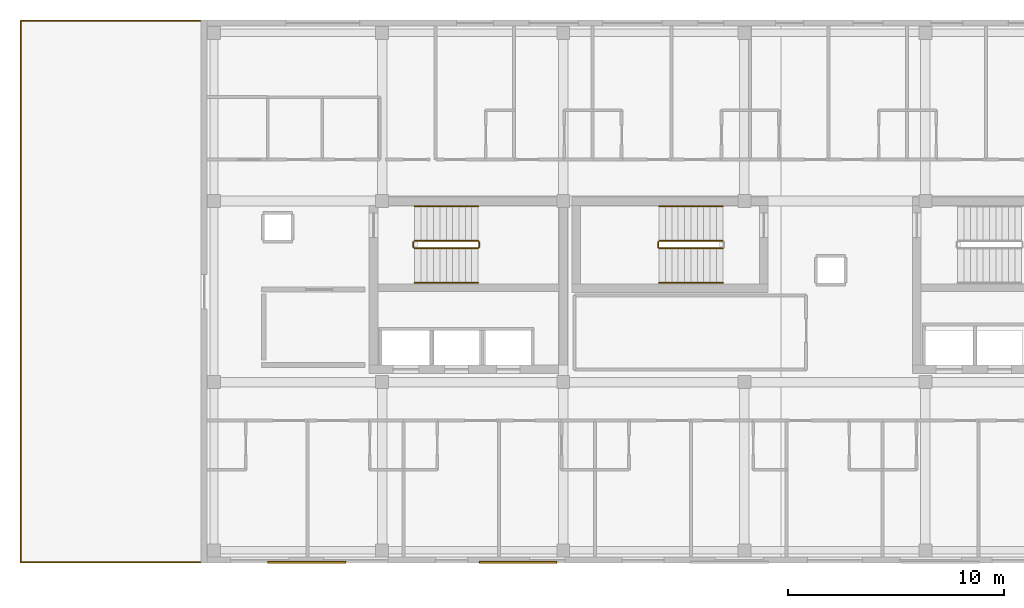
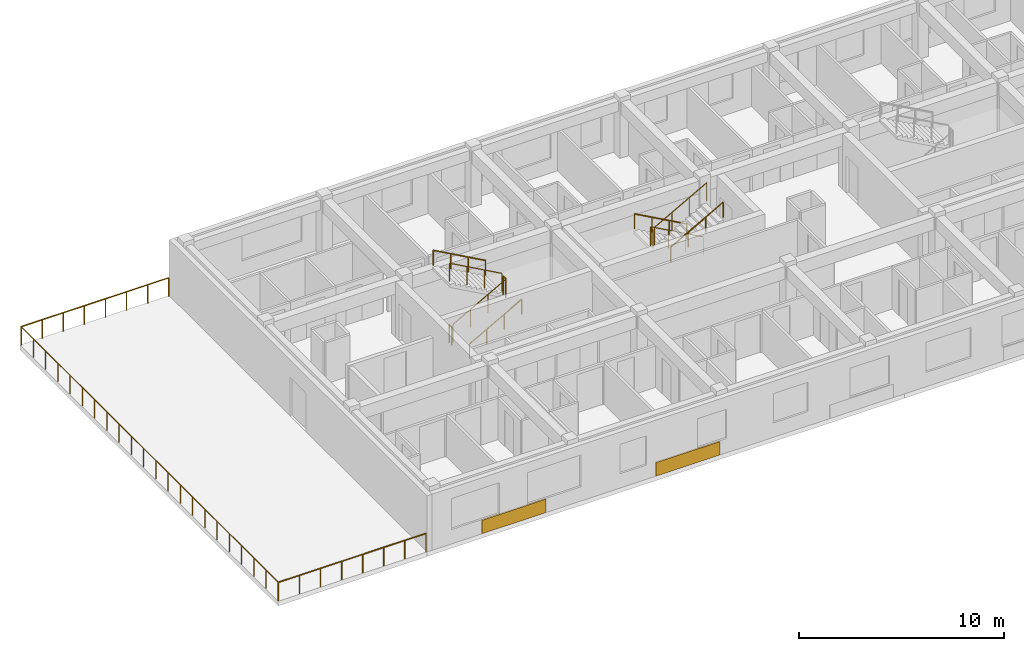
# One storey, part 9 of 10: 14 railings, 2 coverings.
"""IFC4 building model written with IfcOpenShell, lengths in metres."""

from ifc_helpers import new_model, si_unit, direction, frame, origin, origin_2d, place, context, subcontext, project, spatial, rectangle, circle, extrude, material, layer, layer_set, type_object, element, save


model = new_model("IFC4")

# Units and contexts
model_context = context("Model", 3, precision=1e-05, world=origin(), true_north=direction((0.0, 1.0)))
body_context = subcontext(model_context, "Body", "Model", "MODEL_VIEW")
ifc_project = project(units=[si_unit("LENGTHUNIT", "METRE"), si_unit("AREAUNIT", "SQUARE_METRE"), si_unit("VOLUMEUNIT", "CUBIC_METRE"), si_unit("PLANEANGLEUNIT", "RADIAN"), si_unit("MASSUNIT", "GRAM", prefix="KILO")], contexts=[model_context])

# Site, building, storey
site_placement = place(None, origin())
site = spatial("IfcSite", under=ifc_project, at=site_placement, CompositionType="ELEMENT")
building_placement = place(site_placement, origin())
building = spatial("IfcBuilding", under=site, at=building_placement, Name="Zayran Congress Hotel", CompositionType="ELEMENT")
storey_placement = place(building_placement, frame((0.0, 0.0, 33.60009765625)))
storey = spatial("IfcBuildingStorey", under=building, at=storey_placement, Name="L08", CompositionType="ELEMENT", Elevation=33.60009765625)

# Coverings
ifc_material_1 = material(Name="Ochre geometric bas-relief Hajar Ma'ani stone", Category="masonry")
ifc_layer = layer(ifc_material_1, 0.090087890625)
ifc_layer_set = layer_set([ifc_layer], Name="Ochre geometric bas-relief Hajar Ma'ani stone")
covering_type = type_object("IfcCoveringType", Name="TP-CLD-01", PredefinedType="CLADDING", material=ifc_layer_set)
for number, where, z_axis, x_axis, name in (
    (1, (21.699951171875, 8.844970703125, 0.0), (0.0, 0.0, 1.0), (1.0, 0.0, 0.0), "CLD-V5S-L08-0"),
    (2, (31.5, 8.844970703125, 0.0), (0.0, 0.0, 1.0), (1.0, 0.0, 0.0), "CLD-V5S-L08-1"),
):
    element("IfcCovering", number, at=place(storey_placement, frame(where, z_axis=z_axis, x_axis=x_axis)), inside=storey, type_object=covering_type, Name=name, PredefinedType="CLADDING", context=body_context, shape_type="SweptSolid", body=[
        extrude(rectangle(XDim=3.60009765625, YDim=0.090087890625, at=origin_2d()), origin(), (0.0, 0.0, 1.0), 0.800048828125),
    ])

# Railings
ifc_material_2 = material(Name="Warm bronze anodised aluminium balustrade", Category="aluminium")
railing_type_1 = type_object("IfcRailingType", Name="TP-GRD-EXT", PredefinedType="GUARDRAIL", material=ifc_material_2)
railing_1_placement = place(storey_placement, frame((8.43994140625, 8.840087890625, 0.0)))
element("IfcRailing", 3, at=railing_1_placement, inside=storey, type_object=railing_type_1, Name="V5 L08 Terrace Perimeter Guard S", PredefinedType="GUARDRAIL", context=body_context, shape_type="SweptSolid", body=[
    extrude(circle(Radius=0.02392578125, at=origin_2d()), frame((0.0, 0.0, 1.09619140625), z_axis=(1.0, 0.0, 0.0), x_axis=(0.0, 1.0, 0.0)), (0.0, 0.0, 1.0), 8.320068359375),
    extrude(circle(Radius=0.02099609375, at=origin_2d()), origin(), (0.0, 0.0, 1.0), 1.072021484375),
    extrude(circle(Radius=0.02099609375, at=origin_2d()), frame((1.1884765625, 0.0, 0.0)), (0.0, 0.0, 1.0), 1.072021484375),
    extrude(circle(Radius=0.02099609375, at=origin_2d()), frame((2.377197265625, 0.0, 0.0)), (0.0, 0.0, 1.0), 1.072021484375),
    extrude(circle(Radius=0.02099609375, at=origin_2d()), frame((3.565673828125, 0.0, 0.0)), (0.0, 0.0, 1.0), 1.072021484375),
    extrude(circle(Radius=0.02099609375, at=origin_2d()), frame((4.75439453125, 0.0, 0.0)), (0.0, 0.0, 1.0), 1.072021484375),
    extrude(circle(Radius=0.02099609375, at=origin_2d()), frame((5.94287109375, 0.0, 0.0)), (0.0, 0.0, 1.0), 1.072021484375),
    extrude(circle(Radius=0.02099609375, at=origin_2d()), frame((7.131591796875, 0.0, 0.0)), (0.0, 0.0, 1.0), 1.072021484375),
    extrude(circle(Radius=0.02099609375, at=origin_2d()), frame((8.320068359375, 0.0, 0.0)), (0.0, 0.0, 1.0), 1.072021484375),
])
railing_2_placement = place(storey_placement, frame((16.760009765625, 33.9599609375, 0.0)))
element("IfcRailing", 4, at=railing_2_placement, inside=storey, type_object=railing_type_1, Name="V5 L08 Terrace Perimeter Guard N", PredefinedType="GUARDRAIL", context=body_context, shape_type="SweptSolid", body=[
    extrude(circle(Radius=0.02392578125, at=origin_2d()), frame((0.0, 0.0, 1.09619140625), z_axis=(-1.0, 0.0, 0.0), x_axis=(0.0, -1.0, 0.0)), (0.0, 0.0, 1.0), 8.320068359375),
    extrude(circle(Radius=0.02099609375, at=origin_2d()), origin(), (0.0, 0.0, 1.0), 1.072021484375),
    extrude(circle(Radius=0.02099609375, at=origin_2d()), frame((-1.1884765625, 0.0, 0.0)), (0.0, 0.0, 1.0), 1.072021484375),
    extrude(circle(Radius=0.02099609375, at=origin_2d()), frame((-2.377197265625, 0.0, 0.0)), (0.0, 0.0, 1.0), 1.072021484375),
    extrude(circle(Radius=0.02099609375, at=origin_2d()), frame((-3.565673828125, 0.0, 0.0)), (0.0, 0.0, 1.0), 1.072021484375),
    extrude(circle(Radius=0.02099609375, at=origin_2d()), frame((-4.75439453125, 0.0, 0.0)), (0.0, 0.0, 1.0), 1.072021484375),
    extrude(circle(Radius=0.02099609375, at=origin_2d()), frame((-5.94287109375, 0.0, 0.0)), (0.0, 0.0, 1.0), 1.072021484375),
    extrude(circle(Radius=0.02099609375, at=origin_2d()), frame((-7.131591796875, 0.0, 0.0)), (0.0, 0.0, 1.0), 1.072021484375),
    extrude(circle(Radius=0.02099609375, at=origin_2d()), frame((-8.320068359375, 0.0, 0.0)), (0.0, 0.0, 1.0), 1.072021484375),
])
railing_3_placement = place(storey_placement, frame((8.43994140625, 33.9599609375, 0.0)))
element("IfcRailing", 5, at=railing_3_placement, inside=storey, type_object=railing_type_1, Name="V5 L08 Terrace Perimeter Guard W", PredefinedType="GUARDRAIL", context=body_context, shape_type="SweptSolid", body=[
    extrude(circle(Radius=0.02392578125, at=origin_2d()), frame((0.0, 0.0, 1.09619140625), z_axis=(0.0, -1.0, 0.0), x_axis=(1.0, 0.0, 0.0)), (0.0, 0.0, 1.0), 25.119873046875),
    extrude(circle(Radius=0.02099609375, at=origin_2d()), origin(), (0.0, 0.0, 1.0), 1.072021484375),
    extrude(circle(Radius=0.02099609375, at=origin_2d()), frame((0.0, -1.1962890625, 0.0)), (0.0, 0.0, 1.0), 1.072021484375),
    extrude(circle(Radius=0.02099609375, at=origin_2d()), frame((0.0, -2.392333984375, 0.0)), (0.0, 0.0, 1.0), 1.072021484375),
    extrude(circle(Radius=0.02099609375, at=origin_2d()), frame((0.0, -3.588623046875, 0.0)), (0.0, 0.0, 1.0), 1.072021484375),
    extrude(circle(Radius=0.02099609375, at=origin_2d()), frame((0.0, -4.78466796875, 0.0)), (0.0, 0.0, 1.0), 1.072021484375),
    extrude(circle(Radius=0.02099609375, at=origin_2d()), frame((0.0, -5.98095703125, 0.0)), (0.0, 0.0, 1.0), 1.072021484375),
    extrude(circle(Radius=0.02099609375, at=origin_2d()), frame((0.0, -7.177001953125, 0.0)), (0.0, 0.0, 1.0), 1.072021484375),
    extrude(circle(Radius=0.02099609375, at=origin_2d()), frame((0.0, -8.373291015625, 0.0)), (0.0, 0.0, 1.0), 1.072021484375),
    extrude(circle(Radius=0.02099609375, at=origin_2d()), frame((0.0, -9.569580078125, 0.0)), (0.0, 0.0, 1.0), 1.072021484375),
    extrude(circle(Radius=0.02099609375, at=origin_2d()), frame((0.0, -10.765625, 0.0)), (0.0, 0.0, 1.0), 1.072021484375),
    extrude(circle(Radius=0.02099609375, at=origin_2d()), frame((0.0, -11.9619140625, 0.0)), (0.0, 0.0, 1.0), 1.072021484375),
    extrude(circle(Radius=0.02099609375, at=origin_2d()), frame((0.0, -13.157958984375, 0.0)), (0.0, 0.0, 1.0), 1.072021484375),
    extrude(circle(Radius=0.02099609375, at=origin_2d()), frame((0.0, -14.354248046875, 0.0)), (0.0, 0.0, 1.0), 1.072021484375),
    extrude(circle(Radius=0.02099609375, at=origin_2d()), frame((0.0, -15.55029296875, 0.0)), (0.0, 0.0, 1.0), 1.072021484375),
    extrude(circle(Radius=0.02099609375, at=origin_2d()), frame((0.0, -16.74658203125, 0.0)), (0.0, 0.0, 1.0), 1.072021484375),
    extrude(circle(Radius=0.02099609375, at=origin_2d()), frame((0.0, -17.94287109375, 0.0)), (0.0, 0.0, 1.0), 1.072021484375),
    extrude(circle(Radius=0.02099609375, at=origin_2d()), frame((0.0, -19.138916015625, 0.0)), (0.0, 0.0, 1.0), 1.072021484375),
    extrude(circle(Radius=0.02099609375, at=origin_2d()), frame((0.0, -20.335205078125, 0.0)), (0.0, 0.0, 1.0), 1.072021484375),
    extrude(circle(Radius=0.02099609375, at=origin_2d()), frame((0.0, -21.53125, 0.0)), (0.0, 0.0, 1.0), 1.072021484375),
    extrude(circle(Radius=0.02099609375, at=origin_2d()), frame((0.0, -22.7275390625, 0.0)), (0.0, 0.0, 1.0), 1.072021484375),
    extrude(circle(Radius=0.02099609375, at=origin_2d()), frame((0.0, -23.923583984375, 0.0)), (0.0, 0.0, 1.0), 1.072021484375),
    extrude(circle(Radius=0.02099609375, at=origin_2d()), frame((0.0, -25.119873046875, 0.0)), (0.0, 0.0, 1.0), 1.072021484375),
])
ifc_material_3 = material(Name="Painted steel balustrade", Category="steel")
railing_type_2 = type_object("IfcRailingType", Name="TP-GRD-INT", PredefinedType="GUARDRAIL", material=ifc_material_3)
railing_4_placement = place(storey_placement, frame((26.699951171875, 23.409912109375, 0.16357421875)))
element("IfcRailing", 6, at=railing_4_placement, inside=storey, type_object=railing_type_2, Name="L08 ST-01 stair guard 1", PredefinedType="GUARDRAIL", context=body_context, shape_type="SweptSolid", body=[
    extrude(circle(Radius=0.02392578125, at=origin_2d()), frame((0.0, 0.0, 1.076171875), z_axis=(0.87448821551, 0.0, 0.485046761595), x_axis=(0.0, 1.0, 0.0)), (0.0, 0.0, 1.0), 3.373291015625),
    extrude(circle(Radius=0.02099609375, at=origin_2d()), origin(), (0.0, 0.0, 1.0), 1.052001953125),
    extrude(circle(Radius=0.02099609375, at=origin_2d()), frame((0.9833984375, 0.0, 0.54541015625)), (0.0, 0.0, 1.0), 1.052001953125),
    extrude(circle(Radius=0.02099609375, at=origin_2d()), frame((1.966552734375, 0.0, 1.0908203125)), (0.0, 0.0, 1.0), 1.052001953125),
    extrude(circle(Radius=0.02099609375, at=origin_2d()), frame((2.949951171875, 0.0, 1.63623046875)), (0.0, 0.0, 1.0), 1.052001953125),
])
railing_5_placement = place(storey_placement, frame((29.699951171875, 23.4599609375, 1.7998046875)))
element("IfcRailing", 7, at=railing_5_placement, inside=storey, type_object=railing_type_2, Name="L08 ST-01 stair guard 2", PredefinedType="GUARDRAIL", context=body_context, shape_type="SweptSolid", body=[
    extrude(circle(Radius=0.02392578125, at=origin_2d()), frame((0.0, 0.0, 1.076171875), z_axis=(0.0, 1.0, 0.0), x_axis=(-1.0, 0.0, 0.0)), (0.0, 0.0, 1.0), 0.239990234375),
    extrude(circle(Radius=0.02099609375, at=origin_2d()), origin(), (0.0, 0.0, 1.0), 1.052001953125),
    extrude(circle(Radius=0.02099609375, at=origin_2d()), frame((0.0, 0.239990234375, 0.0)), (0.0, 0.0, 1.0), 1.052001953125),
])
railing_6_placement = place(storey_placement, frame((29.64990234375, 23.75, 1.963623046875)))
element("IfcRailing", 8, at=railing_6_placement, inside=storey, type_object=railing_type_2, Name="L08 ST-01 stair guard 3", PredefinedType="GUARDRAIL", context=body_context, shape_type="SweptSolid", body=[
    extrude(circle(Radius=0.02392578125, at=origin_2d()), frame((0.0, 0.0, 1.076171875), z_axis=(-0.87448821551, 0.0, 0.485046761595), x_axis=(0.0, -1.0, 0.0)), (0.0, 0.0, 1.0), 3.373291015625),
    extrude(circle(Radius=0.02099609375, at=origin_2d()), origin(), (0.0, 0.0, 1.0), 1.052001953125),
    extrude(circle(Radius=0.02099609375, at=origin_2d()), frame((-0.9833984375, 0.0, 0.54541015625)), (0.0, 0.0, 1.0), 1.052001953125),
    extrude(circle(Radius=0.02099609375, at=origin_2d()), frame((-1.966552734375, 0.0, 1.0908203125)), (0.0, 0.0, 1.0), 1.052001953125),
    extrude(circle(Radius=0.02099609375, at=origin_2d()), frame((-2.949951171875, 0.0, 1.63623046875)), (0.0, 0.0, 1.0), 1.052001953125),
])
railing_7_placement = place(storey_placement, frame((26.64990234375, 23.4599609375, 0.0)))
element("IfcRailing", 9, at=railing_7_placement, inside=storey, type_object=railing_type_2, Name="L08 ST-01 stair guard 4", PredefinedType="GUARDRAIL", context=body_context, shape_type="SweptSolid", body=[
    extrude(circle(Radius=0.02392578125, at=origin_2d()), frame((0.0, 0.0, 1.076171875), z_axis=(0.0, 1.0, 0.0), x_axis=(-1.0, 0.0, 0.0)), (0.0, 0.0, 1.0), 0.239990234375),
    extrude(circle(Radius=0.02099609375, at=origin_2d()), origin(), (0.0, 0.0, 1.0), 1.052001953125),
    extrude(circle(Radius=0.02099609375, at=origin_2d()), frame((0.0, 0.239990234375, 0.0)), (0.0, 0.0, 1.0), 1.052001953125),
])
railing_8_placement = place(storey_placement, frame((41.0, 23.75, 0.16357421875)))
element("IfcRailing", 10, at=railing_8_placement, inside=storey, type_object=railing_type_2, Name="L08 ST-13 stair guard 1", PredefinedType="GUARDRAIL", context=body_context, shape_type="SweptSolid", body=[
    extrude(circle(Radius=0.02392578125, at=origin_2d()), frame((0.0, 0.0, 1.076171875), z_axis=(-0.87448821551, 0.0, 0.485046761595), x_axis=(0.0, -1.0, 0.0)), (0.0, 0.0, 1.0), 3.373291015625),
    extrude(circle(Radius=0.02099609375, at=origin_2d()), origin(), (0.0, 0.0, 1.0), 1.052001953125),
    extrude(circle(Radius=0.02099609375, at=origin_2d()), frame((-0.9833984375, 0.0, 0.54541015625)), (0.0, 0.0, 1.0), 1.052001953125),
    extrude(circle(Radius=0.02099609375, at=origin_2d()), frame((-1.966552734375, 0.0, 1.0908203125)), (0.0, 0.0, 1.0), 1.052001953125),
    extrude(circle(Radius=0.02099609375, at=origin_2d()), frame((-2.949951171875, 0.0, 1.63623046875)), (0.0, 0.0, 1.0), 1.052001953125),
])
railing_9_placement = place(storey_placement, frame((38.0, 23.699951171875, 1.7998046875)))
element("IfcRailing", 11, at=railing_9_placement, inside=storey, type_object=railing_type_2, Name="L08 ST-13 stair guard 2", PredefinedType="GUARDRAIL", context=body_context, shape_type="SweptSolid", body=[
    extrude(circle(Radius=0.02392578125, at=origin_2d()), frame((0.0, 0.0, 1.076171875), z_axis=(0.0, -1.0, 0.0), x_axis=(1.0, 0.0, 0.0)), (0.0, 0.0, 1.0), 0.239990234375),
    extrude(circle(Radius=0.02099609375, at=origin_2d()), origin(), (0.0, 0.0, 1.0), 1.052001953125),
    extrude(circle(Radius=0.02099609375, at=origin_2d()), frame((0.0, -0.239990234375, 0.0)), (0.0, 0.0, 1.0), 1.052001953125),
])
railing_10_placement = place(storey_placement, frame((38.050048828125, 23.409912109375, 1.963623046875)))
element("IfcRailing", 12, at=railing_10_placement, inside=storey, type_object=railing_type_2, Name="L08 ST-13 stair guard 3", PredefinedType="GUARDRAIL", context=body_context, shape_type="SweptSolid", body=[
    extrude(circle(Radius=0.02392578125, at=origin_2d()), frame((0.0, 0.0, 1.076171875), z_axis=(0.87448821551, 0.0, 0.485046761595), x_axis=(0.0, 1.0, 0.0)), (0.0, 0.0, 1.0), 3.373291015625),
    extrude(circle(Radius=0.02099609375, at=origin_2d()), origin(), (0.0, 0.0, 1.0), 1.052001953125),
    extrude(circle(Radius=0.02099609375, at=origin_2d()), frame((0.9833984375, 0.0, 0.54541015625)), (0.0, 0.0, 1.0), 1.052001953125),
    extrude(circle(Radius=0.02099609375, at=origin_2d()), frame((1.966552734375, 0.0, 1.0908203125)), (0.0, 0.0, 1.0), 1.052001953125),
    extrude(circle(Radius=0.02099609375, at=origin_2d()), frame((2.949951171875, 0.0, 1.63623046875)), (0.0, 0.0, 1.0), 1.052001953125),
])
ifc_material_4 = material(Name="Brushed stainless steel handrail", Category="steel")
railing_type_3 = type_object("IfcRailingType", Name="TP-HND-STR", PredefinedType="HANDRAIL", material=ifc_material_4)
railing_11_placement = place(storey_placement, frame((26.699951171875, 21.81005859375, 0.16357421875)))
element("IfcRailing", 13, at=railing_11_placement, inside=storey, type_object=railing_type_3, Name="L08 ST-01 stair handrail 1", PredefinedType="HANDRAIL", context=body_context, shape_type="SweptSolid", body=[
    extrude(circle(Radius=0.02392578125, at=origin_2d()), frame((0.0, 0.0, 0.8759765625), z_axis=(0.87448821551, 0.0, 0.485046761595), x_axis=(0.0, 1.0, 0.0)), (0.0, 0.0, 1.0), 3.373291015625),
    extrude(circle(Radius=0.02099609375, at=origin_2d()), origin(), (0.0, 0.0, 1.0), 0.851806640625),
    extrude(circle(Radius=0.02099609375, at=origin_2d()), frame((0.9833984375, 0.0, 0.54541015625)), (0.0, 0.0, 1.0), 0.851806640625),
    extrude(circle(Radius=0.02099609375, at=origin_2d()), frame((1.966552734375, 0.0, 1.0908203125)), (0.0, 0.0, 1.0), 0.851806640625),
    extrude(circle(Radius=0.02099609375, at=origin_2d()), frame((2.949951171875, 0.0, 1.63623046875)), (0.0, 0.0, 1.0), 0.851806640625),
])
for number, where, name in (
    (14, (29.64990234375, 25.35009765625, 1.963623046875), "L08 ST-01 stair handrail 2"),
    (15, (41.0, 25.35009765625, 0.16357421875), "L08 ST-13 stair handrail 1"),
):
    element("IfcRailing", number, at=place(storey_placement, frame(where)), inside=storey, type_object=railing_type_3, Name=name, PredefinedType="HANDRAIL", context=body_context, shape_type="SweptSolid", body=[
        extrude(circle(Radius=0.02392578125, at=origin_2d()), frame((0.0, 0.0, 0.8759765625), z_axis=(-0.87448821551, 0.0, 0.485046761595), x_axis=(0.0, -1.0, 0.0)), (0.0, 0.0, 1.0), 3.373291015625),
        extrude(circle(Radius=0.02099609375, at=origin_2d()), origin(), (0.0, 0.0, 1.0), 0.851806640625),
        extrude(circle(Radius=0.02099609375, at=origin_2d()), frame((-0.9833984375, 0.0, 0.54541015625)), (0.0, 0.0, 1.0), 0.851806640625),
        extrude(circle(Radius=0.02099609375, at=origin_2d()), frame((-1.966552734375, 0.0, 1.0908203125)), (0.0, 0.0, 1.0), 0.851806640625),
        extrude(circle(Radius=0.02099609375, at=origin_2d()), frame((-2.949951171875, 0.0, 1.63623046875)), (0.0, 0.0, 1.0), 0.851806640625),
    ])
railing_12_placement = place(storey_placement, frame((38.050048828125, 21.81005859375, 1.963623046875)))
element("IfcRailing", 16, at=railing_12_placement, inside=storey, type_object=railing_type_3, Name="L08 ST-13 stair handrail 2", PredefinedType="HANDRAIL", context=body_context, shape_type="SweptSolid", body=[
    extrude(circle(Radius=0.02392578125, at=origin_2d()), frame((0.0, 0.0, 0.8759765625), z_axis=(0.87448821551, 0.0, 0.485046761595), x_axis=(0.0, 1.0, 0.0)), (0.0, 0.0, 1.0), 3.373291015625),
    extrude(circle(Radius=0.02099609375, at=origin_2d()), origin(), (0.0, 0.0, 1.0), 0.851806640625),
    extrude(circle(Radius=0.02099609375, at=origin_2d()), frame((0.9833984375, 0.0, 0.54541015625)), (0.0, 0.0, 1.0), 0.851806640625),
    extrude(circle(Radius=0.02099609375, at=origin_2d()), frame((1.966552734375, 0.0, 1.0908203125)), (0.0, 0.0, 1.0), 0.851806640625),
    extrude(circle(Radius=0.02099609375, at=origin_2d()), frame((2.949951171875, 0.0, 1.63623046875)), (0.0, 0.0, 1.0), 0.851806640625),
])

save(model, "model.ifc")
